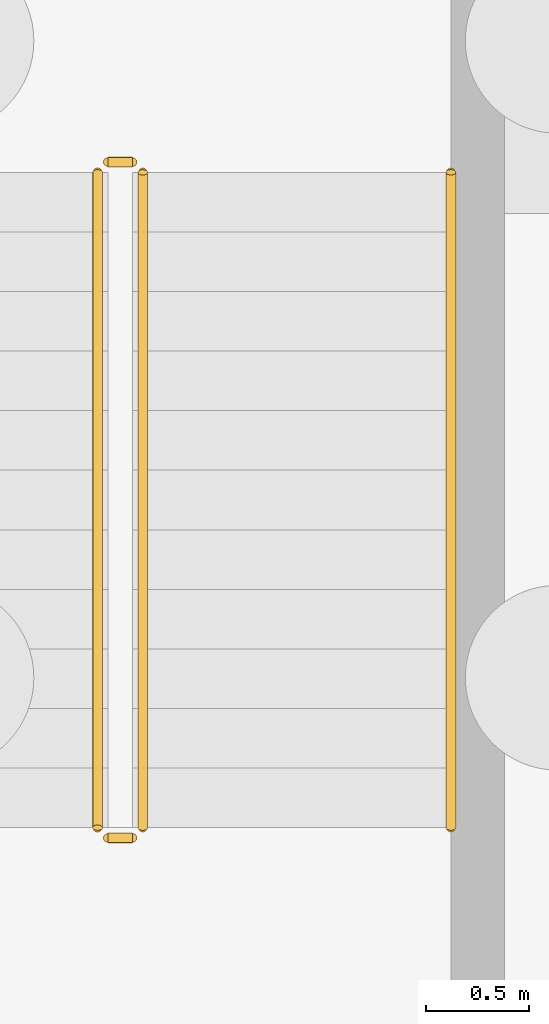
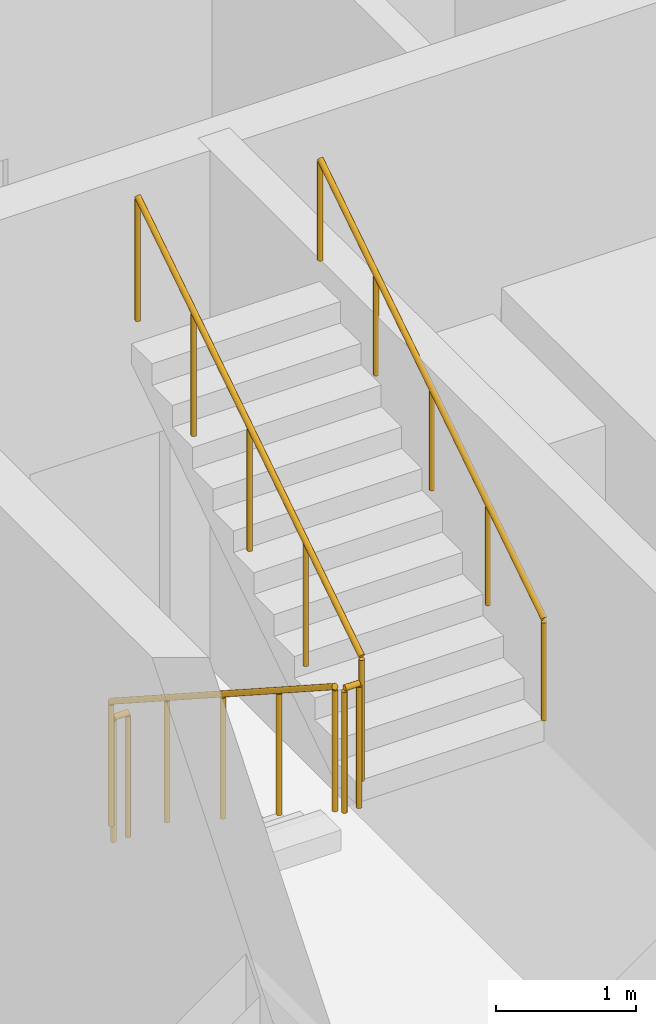
# One storey, part 21 of 22: 5 railings.
"""IFC4 building model written with IfcOpenShell, lengths in metres."""

import ifcopenshell
import ifcopenshell.guid

model = None  # the IFC model being written
_history = None  # IfcOwnerHistory: only IFC2X3 demands one
_inside = {}  # id of a spatial element -> (the spatial element, [elements in it])
_under = {}  # id of a project, library or spatial element -> (it, [spatial elements below it])
_declared = {}  # id of a project -> (the project, [libraries it declares])
_typed = {}  # id of a type object -> (the type object, [elements of that type])
_made_of = {}  # id of a material, layer set ... -> (it, [elements and type objects made of it])


def new_model(schema):
    """Start an empty IFC model of exactly this schema.

    Asked for "IFC4X3", IfcOpenShell would pick the latest addendum, in which some entities
    have other attributes; the version numbers below select the first issue.
    IFC2X3 requires an IfcOwnerHistory on every rooted entity: one is made here for all.
    """
    global model, _history
    if schema == "IFC4X3":
        model = ifcopenshell.file(schema_version=(4, 3, 0, 0))
    else:
        model = ifcopenshell.file(schema=schema)
    _inside.clear()
    _under.clear()
    _declared.clear()
    _typed.clear()
    _made_of.clear()
    _history = None
    if model.schema == "IFC2X3":
        org = make("IfcOrganization", Name="unknown")
        user = make(
            "IfcPersonAndOrganization",
            ThePerson=make("IfcPerson", FamilyName="unknown"),
            TheOrganization=org,
        )
        app = make(
            "IfcApplication",
            ApplicationDeveloper=org,
            Version="unknown",
            ApplicationFullName="unknown",
            ApplicationIdentifier="unknown",
        )
        _history = make(
            "IfcOwnerHistory",
            OwningUser=user,
            OwningApplication=app,
            ChangeAction="ADDED",
            CreationDate=0,
        )
    return model


def make(cls, **values):
    """One entity of the class cls with the attributes given. An attribute that is None is left unset."""
    return model.create_entity(
        cls, **{name: value for name, value in values.items() if value is not None}
    )


def rooted(cls, **values):
    """An entity with a GlobalId (a new one), such as an element, a storey or a relation."""
    return make(cls, GlobalId=ifcopenshell.guid.new(), OwnerHistory=_history, **values)


def si_unit(unit_type, name, prefix=None):
    """IfcSIUnit, for example si_unit("LENGTHUNIT", "METRE", prefix="MILLI")."""
    return make("IfcSIUnit", UnitType=unit_type, Prefix=prefix, Name=name)


def assignment(units):
    """IfcUnitAssignment: the units of a project."""
    return None if units is None else make("IfcUnitAssignment", Units=units)


def point(xyz):
    """IfcCartesianPoint."""
    return None if xyz is None else make("IfcCartesianPoint", Coordinates=xyz)


def direction(xyz):
    """IfcDirection."""
    return None if xyz is None else make("IfcDirection", DirectionRatios=xyz)


def frame(location, z_axis=None, x_axis=None):
    """IfcAxis2Placement3D, a coordinate frame: its origin and axes. An axis left out is left unset."""
    return make(
        "IfcAxis2Placement3D",
        Location=point(location),
        Axis=direction(z_axis),
        RefDirection=direction(x_axis),
    )


def frame_2d(location, x_axis=None):
    """IfcAxis2Placement2D, a coordinate frame in the plane: its origin and x axis."""
    return make(
        "IfcAxis2Placement2D", Location=point(location), RefDirection=direction(x_axis)
    )


def origin():
    """The frame at (0, 0, 0) with its axes left unset."""
    return frame((0.0, 0.0, 0.0))


def origin_2d():
    """The frame at (0, 0) in the plane with its x axis left unset."""
    return frame_2d((0.0, 0.0))


def place(relative_to, where):
    """IfcLocalPlacement: puts the frame where relative to a parent placement (None: the world)."""
    return make(
        "IfcLocalPlacement", PlacementRelTo=relative_to, RelativePlacement=where
    )


def context(
    kind, dimensions, precision=None, world=None, true_north=None, identifier=None
):
    """IfcGeometricRepresentationContext, for example the 3D "Model" context."""
    return make(
        "IfcGeometricRepresentationContext",
        ContextIdentifier=identifier,
        ContextType=kind,
        CoordinateSpaceDimension=dimensions,
        Precision=precision,
        WorldCoordinateSystem=world,
        TrueNorth=true_north,
    )


def subcontext(parent, identifier, kind, view, scale=None):
    """IfcGeometricRepresentationSubContext, for example "Body" below "Model"."""
    return make(
        "IfcGeometricRepresentationSubContext",
        ContextIdentifier=identifier,
        ContextType=kind,
        ParentContext=parent,
        TargetScale=scale,
        TargetView=view,
    )


def project(units=None, contexts=None):
    """IfcProject with its units and contexts."""
    return rooted(
        "IfcProject",
        Name="project",
        RepresentationContexts=contexts,
        UnitsInContext=assignment(units),
    )


def spatial(cls, under=None, at=None, **own):
    """A site, building, storey or space (cls), placed at a placement, below another one or the project."""
    s = rooted(cls, ObjectPlacement=at, **own)
    if under is not None:
        _under.setdefault(under.id(), (under, []))[1].append(s)
    return s


def profile(cls, at=None, kind="AREA", **sizes):
    """A parametric profile (cls). Its sizes go by their IFC names, for example OverallWidth=200.0."""
    return make(cls, ProfileType=kind, Position=at, **sizes)


def circle(**sizes):
    """IfcCircleProfileDef."""
    return profile("IfcCircleProfileDef", **sizes)


def extrude(swept, where, along, depth):
    """IfcExtrudedAreaSolid: the profile swept, set in the frame where, extruded along a direction by depth."""
    return make(
        "IfcExtrudedAreaSolid",
        SweptArea=swept,
        Position=where,
        ExtrudedDirection=direction(along),
        Depth=depth,
    )


def shape(context_of_items, identifier, shape_type, items):
    """IfcShapeRepresentation: the items that make up one representation, for example the "Body"."""
    return make(
        "IfcShapeRepresentation",
        ContextOfItems=context_of_items,
        RepresentationIdentifier=identifier,
        RepresentationType=shape_type,
        Items=items,
    )


def material(Name=None, Category=None):
    """IfcMaterial."""
    return make("IfcMaterial", Name=Name, Category=Category)


def made_of(thing, what):
    """Note that an element or type object is made of a material, layer set ...; save() writes the relation."""
    if what is not None:
        _made_of.setdefault(what.id(), (what, []))[1].append(thing)
    return thing


def type_object(cls, material=None, **own):
    """A type object (cls), such as IfcWallType, which elements share."""
    return made_of(rooted(cls, **own), material)


def element(
    cls,
    number,
    at=None,
    inside=None,
    cuts=None,
    type_object=None,
    material=None,
    context=None,
    identifier="Body",
    shape_type=None,
    held_by="IfcProductDefinitionShape",
    body=None,
    shapes=None,
    **own,
):
    """One element of the class cls, such as IfcWall. Its Tag is "e" and its number.

    at: its placement. inside: the storey or other place that contains it. cuts: it is an
    opening in that element (IfcRelVoidsElement). A single representation is given by context,
    identifier, shape_type and body (its items); several are given by shapes. held_by: the class
    of the entity that holds the representations. save() writes the other relations.
    """
    e = rooted(cls, Tag="e%d" % number, ObjectPlacement=at, **own)
    if body is not None:
        shapes = [shape(context, identifier, shape_type, body)]
    if shapes is not None:
        e.Representation = make(held_by, Representations=shapes)
    if inside is not None:
        _inside.setdefault(inside.id(), (inside, []))[1].append(e)
    if cuts is not None:
        rooted(
            "IfcRelVoidsElement", RelatingBuildingElement=cuts, RelatedOpeningElement=e
        )
    if type_object is not None:
        _typed.setdefault(type_object.id(), (type_object, []))[1].append(e)
    return made_of(e, material)


def aggregate(whole, parts):
    """IfcRelAggregates: a whole, such as a stair, and the parts it consists of."""
    return rooted("IfcRelAggregates", RelatingObject=whole, RelatedObjects=parts)


def save(model, path):
    """Write the relations noted so far, then the file.

    IfcRelAggregates (storeys below a building ...), IfcRelContainedInSpatialStructure (elements
    in a storey), IfcRelDefinesByType, IfcRelAssociatesMaterial and IfcRelDeclares: one each for
    every whole, place, type object, material and project.
    """
    for whole, parts in _under.values():
        aggregate(whole, parts)
    for where, things in _inside.values():
        rooted(
            "IfcRelContainedInSpatialStructure",
            RelatedElements=things,
            RelatingStructure=where,
        )
    for kind, things in _typed.values():
        rooted("IfcRelDefinesByType", RelatedObjects=things, RelatingType=kind)
    for what, things in _made_of.values():
        rooted("IfcRelAssociatesMaterial", RelatedObjects=things, RelatingMaterial=what)
    for by, libraries in _declared.values():
        rooted("IfcRelDeclares", RelatingContext=by, RelatedDefinitions=libraries)
    model.write(path)


model = new_model("IFC4")

# Units and contexts
model_context = context("Model", 3, precision=1e-05, world=origin(), true_north=direction((0.0, 1.0)))
body_context = subcontext(model_context, "Body", "Model", "MODEL_VIEW")
ifc_project = project(units=[si_unit("LENGTHUNIT", "METRE"), si_unit("AREAUNIT", "SQUARE_METRE"), si_unit("VOLUMEUNIT", "CUBIC_METRE"), si_unit("PLANEANGLEUNIT", "RADIAN"), si_unit("MASSUNIT", "GRAM", prefix="KILO")], contexts=[model_context])

# Site, building, storey
site_placement = place(None, origin())
site = spatial("IfcSite", under=ifc_project, at=site_placement, CompositionType="ELEMENT")
building_placement = place(site_placement, origin())
building = spatial("IfcBuilding", under=site, at=building_placement, Name="Vharandega Faculty of Natural Sciences", CompositionType="ELEMENT")
storey_placement = place(building_placement, frame((0.0, 0.0, -4.5)))
storey = spatial("IfcBuildingStorey", under=building, at=storey_placement, Name="B01", CompositionType="ELEMENT", Elevation=-4.5)

# Railings
ifc_material_1 = material(Name="Brushed stainless steel handrail", Category="steel")
railing_type_1 = type_object("IfcRailingType", Name="Stair Tubular Handrail 900", PredefinedType="HANDRAIL", material=ifc_material_1)
railing_1_placement = place(storey_placement, frame((149.330078125, 67.469970703125, 2.4375)))
element("IfcRailing", 1, at=railing_1_placement, inside=storey, type_object=railing_type_1, Name="B01 ST2 stair handrail 2", PredefinedType="HANDRAIL", context=body_context, shape_type="SweptSolid", body=[
    extrude(circle(Radius=0.02392578125, at=origin_2d()), frame((0.0, 0.0, 0.8759765625), z_axis=(0.0, 0.839759782654, 0.542958108362), x_axis=(-1.0, 0.0, 0.0)), (0.0, 0.0, 1.0), 3.798583984375),
    extrude(circle(Radius=0.02099609375, at=origin_2d()), origin(), (0.0, 0.0, 1.0), 0.851806640625),
    extrude(circle(Radius=0.02099609375, at=origin_2d()), frame((0.0, 0.79736328125, 0.515625)), (0.0, 0.0, 1.0), 0.851806640625),
    extrude(circle(Radius=0.02099609375, at=origin_2d()), frame((0.0, 1.594970703125, 1.03125)), (0.0, 0.0, 1.0), 0.851806640625),
    extrude(circle(Radius=0.02099609375, at=origin_2d()), frame((0.0, 2.392578125, 1.546875)), (0.0, 0.0, 1.0), 0.851806640625),
    extrude(circle(Radius=0.02099609375, at=origin_2d()), frame((0.0, 3.18994140625, 2.0625)), (0.0, 0.0, 1.0), 0.851806640625),
])
ifc_material_2 = material(Name="Painted steel stair guardrail", Category="steel")
railing_type_2 = type_object("IfcRailingType", Name="Stairwell Steel Guardrail 1100", PredefinedType="GUARDRAIL", material=ifc_material_2)
railing_2_placement = place(storey_placement, frame((147.610107421875, 70.659912109375, 0.1875)))
element("IfcRailing", 2, at=railing_2_placement, inside=storey, type_object=railing_type_2, Name="B01 ST2 stair guard 1", PredefinedType="GUARDRAIL", context=body_context, shape_type="SweptSolid", body=[
    extrude(circle(Radius=0.02392578125, at=origin_2d()), frame((0.0, 0.0, 1.076171875), z_axis=(0.0, -0.839759782654, 0.542958108362), x_axis=(1.0, 0.0, 0.0)), (0.0, 0.0, 1.0), 3.798583984375),
    extrude(circle(Radius=0.02099609375, at=origin_2d()), origin(), (0.0, 0.0, 1.0), 1.052001953125),
    extrude(circle(Radius=0.02099609375, at=origin_2d()), frame((0.0, -0.79736328125, 0.515625)), (0.0, 0.0, 1.0), 1.052001953125),
    extrude(circle(Radius=0.02099609375, at=origin_2d()), frame((0.0, -1.594970703125, 1.03125)), (0.0, 0.0, 1.0), 1.052001953125),
    extrude(circle(Radius=0.02099609375, at=origin_2d()), frame((0.0, -2.392578125, 1.546875)), (0.0, 0.0, 1.0), 1.052001953125),
    extrude(circle(Radius=0.02099609375, at=origin_2d()), frame((0.0, -3.18994140625, 2.0625)), (0.0, 0.0, 1.0), 1.052001953125),
])
railing_3_placement = place(storey_placement, frame((147.659912109375, 67.419921875, 2.25)))
element("IfcRailing", 3, at=railing_3_placement, inside=storey, type_object=railing_type_2, Name="B01 ST2 stair guard 2", PredefinedType="GUARDRAIL", context=body_context, shape_type="SweptSolid", body=[
    extrude(circle(Radius=0.02392578125, at=origin_2d()), frame((0.0, 0.0, 1.076171875), z_axis=(1.0, 0.0, 0.0), x_axis=(0.0, 1.0, 0.0)), (0.0, 0.0, 1.0), 0.1201171875),
    extrude(circle(Radius=0.02099609375, at=origin_2d()), origin(), (0.0, 0.0, 1.0), 1.052001953125),
    extrude(circle(Radius=0.02099609375, at=origin_2d()), frame((0.1201171875, 0.0, 0.0)), (0.0, 0.0, 1.0), 1.052001953125),
])
railing_4_placement = place(storey_placement, frame((147.830078125, 67.469970703125, 2.4375)))
element("IfcRailing", 4, at=railing_4_placement, inside=storey, type_object=railing_type_2, Name="B01 ST2 stair guard 3", PredefinedType="GUARDRAIL", context=body_context, shape_type="SweptSolid", body=[
    extrude(circle(Radius=0.02392578125, at=origin_2d()), frame((0.0, 0.0, 1.076171875), z_axis=(0.0, 0.839759782654, 0.542958108362), x_axis=(-1.0, 0.0, 0.0)), (0.0, 0.0, 1.0), 3.798583984375),
    extrude(circle(Radius=0.02099609375, at=origin_2d()), origin(), (0.0, 0.0, 1.0), 1.052001953125),
    extrude(circle(Radius=0.02099609375, at=origin_2d()), frame((0.0, 0.79736328125, 0.515625)), (0.0, 0.0, 1.0), 1.052001953125),
    extrude(circle(Radius=0.02099609375, at=origin_2d()), frame((0.0, 1.594970703125, 1.03125)), (0.0, 0.0, 1.0), 1.052001953125),
    extrude(circle(Radius=0.02099609375, at=origin_2d()), frame((0.0, 2.392578125, 1.546875)), (0.0, 0.0, 1.0), 1.052001953125),
    extrude(circle(Radius=0.02099609375, at=origin_2d()), frame((0.0, 3.18994140625, 2.0625)), (0.0, 0.0, 1.0), 1.052001953125),
])
railing_5_placement = place(storey_placement, frame((147.659912109375, 70.7099609375, 0.0)))
element("IfcRailing", 5, at=railing_5_placement, inside=storey, type_object=railing_type_2, Name="B01 ST2 stair guard 4", PredefinedType="GUARDRAIL", context=body_context, shape_type="SweptSolid", body=[
    extrude(circle(Radius=0.02392578125, at=origin_2d()), frame((0.0, 0.0, 1.076171875), z_axis=(1.0, 0.0, 0.0), x_axis=(0.0, 1.0, 0.0)), (0.0, 0.0, 1.0), 0.1201171875),
    extrude(circle(Radius=0.02099609375, at=origin_2d()), origin(), (0.0, 0.0, 1.0), 1.052001953125),
    extrude(circle(Radius=0.02099609375, at=origin_2d()), frame((0.1201171875, 0.0, 0.0)), (0.0, 0.0, 1.0), 1.052001953125),
])

save(model, "model.ifc")
